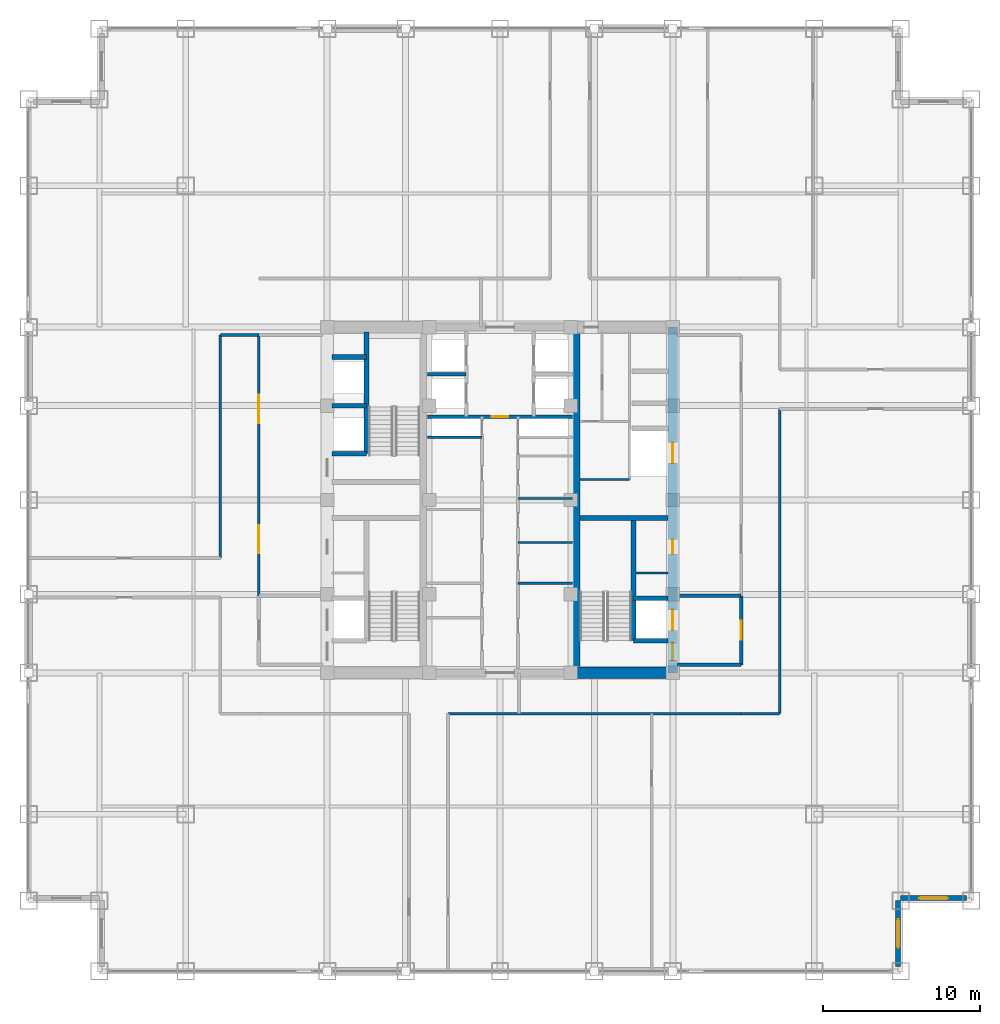
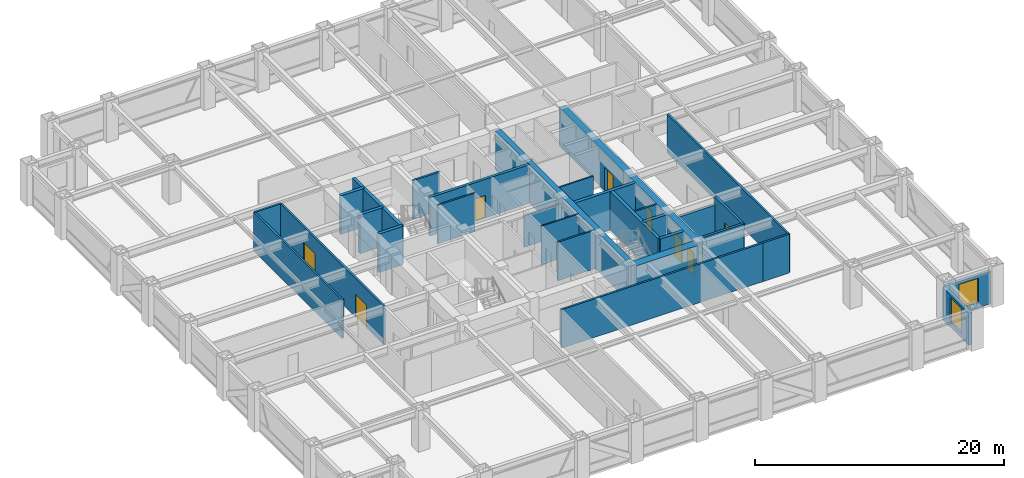
# One storey, part 21 of 24: 30 walls, 8 doors, 2 windows, 10 openings.
"""IFC4 building model written with IfcOpenShell, lengths in metres."""

from ifc_helpers import new_model, si_unit, direction, frame, frame_2d, origin, place, context, subcontext, project, spatial, rectangle, extrude, source, transform, mapped, material, layer, layer_set, type_object, element, fill, save


model = new_model("IFC4")

# Units and contexts
model_context = context("Model", 3, precision=1e-05, world=origin(), true_north=direction((0.0, 1.0)))
body_context = subcontext(model_context, "Body", "Model", "MODEL_VIEW")
ifc_project = project(units=[si_unit("LENGTHUNIT", "METRE"), si_unit("AREAUNIT", "SQUARE_METRE"), si_unit("VOLUMEUNIT", "CUBIC_METRE"), si_unit("PLANEANGLEUNIT", "RADIAN"), si_unit("MASSUNIT", "GRAM", prefix="KILO")], contexts=[model_context])

# Site, building, storey
site_placement = place(None, origin())
site = spatial("IfcSite", under=ifc_project, at=site_placement, CompositionType="ELEMENT")
building_placement = place(site_placement, origin())
building = spatial("IfcBuilding", under=site, at=building_placement, Name="Khorayat Bourse Tower", CompositionType="ELEMENT")
storey_placement = place(building_placement, frame((0.0, 0.0, 159.10009765625)))
storey = spatial("IfcBuildingStorey", under=building, at=storey_placement, Name="L36", CompositionType="ELEMENT", Elevation=159.10009765625)

# Wall, openings, doors
ifc_material_1 = material(Name="Concrete C60/75", Category="concrete")
ifc_layer_1 = layer(ifc_material_1, 0.60009765625)
ifc_layer_set_1 = layer_set([ifc_layer_1], Name="Concrete C60/75")
wall_type_1 = type_object("IfcWallType", Name="WAL-CORE-600", PredefinedType="SHEAR", material=ifc_layer_set_1)
shared_shape_1 = source(origin(), body_context, "Body", "SweptSolid", [
    extrude(rectangle(XDim=22.0, YDim=0.60009765625, at=frame_2d((11.0, 0.0))), origin(), (0.0, 0.0, 1.0), 3.77978515625),
])
wall_1_placement = place(storey_placement, frame((11.0, -11.0, 0.0), z_axis=(0.0, 0.0, 1.0), x_axis=(0.0, 1.0, 0.0)))
wall_1 = element("IfcWall", 1, at=wall_1_placement, inside=storey, type_object=wall_type_1, Name="L36 Core Shear Wall CORE-E", PredefinedType="SHEAR", context=body_context, shape_type="MappedRepresentation", body=[
    mapped(shared_shape_1, transform((0.0, 0.0, 0.0), scale=1.0)),
])
shared_shape_2 = source(origin(), body_context, "Body", "SweptSolid", [
    extrude(rectangle(XDim=1.10009765625, YDim=2.199951171875, at=frame_2d((0.550048828125, 1.10009765625))), frame((0.0, 0.31005859375, 0.0), z_axis=(0.0, -1.0, 0.0), x_axis=(1.0, 0.0, 0.0)), (0.0, 0.0, 1.0), 0.6201171875),
])
opening_1_placement = place(wall_1_placement, frame((0.800048828125, 0.0, 0.0)))
opening_1 = element("IfcOpeningElement", 2, at=opening_1_placement, cuts=wall_1, Name="Opening DI-01", PredefinedType="OPENING", context=body_context, shape_type="MappedRepresentation", body=[
    mapped(shared_shape_2, transform((0.0, 0.0, 0.0), scale=1.0)),
])
shared_shape_3 = source(origin(), body_context, "Body", "SweptSolid", [
    extrude(rectangle(XDim=0.89990234375, YDim=2.14990234375, at=frame_2d((0.449951171875, 1.074951171875))), frame((0.0, 0.31005859375, 0.0), z_axis=(0.0, -1.0, 0.0), x_axis=(1.0, 0.0, 0.0)), (0.0, 0.0, 1.0), 0.6201171875),
])
opening_2_placement = place(wall_1_placement, frame((7.574951171875, 0.0, 0.0)))
opening_2 = element("IfcOpeningElement", 3, at=opening_2_placement, cuts=wall_1, Name="Opening DI-06", PredefinedType="OPENING", context=body_context, shape_type="MappedRepresentation", body=[
    mapped(shared_shape_3, transform((0.0, 0.0, 0.0), scale=1.0)),
])
shared_shape_4 = source(origin(), body_context, "Body", "SweptSolid", [
    extrude(rectangle(XDim=1.300048828125, YDim=2.300048828125, at=frame_2d((0.64990234375, 1.14990234375))), frame((0.0, 0.31005859375, 0.0), z_axis=(0.0, -1.0, 0.0), x_axis=(1.0, 0.0, 0.0)), (0.0, 0.0, 1.0), 0.6201171875),
])
opening_3_placement = place(wall_1_placement, frame((2.699951171875, 0.0, 0.0)))
opening_3 = element("IfcOpeningElement", 4, at=opening_3_placement, cuts=wall_1, Name="Opening LD-02", PredefinedType="OPENING", context=body_context, shape_type="MappedRepresentation", body=[
    mapped(shared_shape_4, transform((0.0, 0.0, 0.0), scale=1.0)),
])
opening_4_placement = place(wall_1_placement, frame((13.35009765625, 0.0, 0.0)))
opening_4 = element("IfcOpeningElement", 5, at=opening_4_placement, cuts=wall_1, Name="Opening LD-02", PredefinedType="OPENING", context=body_context, shape_type="MappedRepresentation", body=[
    mapped(shared_shape_4, transform((0.0, 0.0, 0.0), scale=1.0)),
])
ifc_material_2 = material(Name="Fire-rated steel acoustic leaf", Category="steel")
door_type_1 = type_object("IfcDoorType", Name="DR-INT-STAIR-1100", OperationType="NOTDEFINED", PredefinedType="DOOR", material=ifc_material_2)
shared_shape_5 = source(origin(), body_context, "Body", "SweptSolid", [
    extrude(rectangle(XDim=1.10009765625, YDim=2.199951171875, at=frame_2d((0.550048828125, 1.10009765625))), frame((0.0, 0.02490234375, 0.0), z_axis=(0.0, -1.0, 0.0), x_axis=(1.0, 0.0, 0.0)), (0.0, 0.0, 1.0), 0.050048828125),
])
door_1_placement = place(opening_1_placement, origin())
door_1 = element("IfcDoor", 6, at=door_1_placement, inside=storey, type_object=door_type_1, Name="L36 Exit Stair 3 Door", OperationType="SINGLE_SWING_LEFT", OverallHeight=2.199951171875, OverallWidth=1.10009765625, PredefinedType="DOOR", context=body_context, shape_type="MappedRepresentation", body=[
    mapped(shared_shape_5, transform((0.0, 0.0, 0.0), scale=1.0)),
])
fill(opening_1, door_1)
ifc_material_3 = material(Name="Moisture-resistant laminate washroom door")
door_type_2 = type_object("IfcDoorType", Name="DR-INT-WC-900", OperationType="NOTDEFINED", PredefinedType="DOOR", material=ifc_material_3)
shared_shape_6 = source(origin(), body_context, "Body", "SweptSolid", [
    extrude(rectangle(XDim=0.89990234375, YDim=2.14990234375, at=frame_2d((0.449951171875, 1.074951171875))), frame((0.0, 0.02490234375, 0.0), z_axis=(0.0, -1.0, 0.0), x_axis=(1.0, 0.0, 0.0)), (0.0, 0.0, 1.0), 0.050048828125),
])
door_2_placement = place(opening_2_placement, origin())
door_2 = element("IfcDoor", 7, at=door_2_placement, inside=storey, type_object=door_type_2, Name="L36 Fiber Server Plant Room Door", OperationType="SINGLE_SWING_LEFT", OverallHeight=2.14990234375, OverallWidth=0.89990234375, PredefinedType="DOOR", context=body_context, shape_type="MappedRepresentation", body=[
    mapped(shared_shape_6, transform((0.0, 0.0, 0.0), scale=1.0)),
])
fill(opening_2, door_2)
ifc_material_4 = material(Name="Fire-rated stainless-steel sliding landing door", Category="steel")
door_type_3 = type_object("IfcDoorType", Name="DR-LIFT-FF-1300", OperationType="NOTDEFINED", PredefinedType="DOOR", material=ifc_material_4)
shared_shape_7 = source(origin(), body_context, "Body", "SweptSolid", [
    extrude(rectangle(XDim=1.300048828125, YDim=2.300048828125, at=frame_2d((0.64990234375, 1.14990234375))), frame((0.0, 0.02490234375, 0.0), z_axis=(0.0, -1.0, 0.0), x_axis=(1.0, 0.0, 0.0)), (0.0, 0.0, 1.0), 0.050048828125),
])
door_3_placement = place(opening_3_placement, origin())
door_3 = element("IfcDoor", 8, at=door_3_placement, inside=storey, type_object=door_type_3, Name="L36 Lift FFL-02 Sliding Landing Door", OperationType="SLIDING_TO_LEFT", OverallHeight=2.300048828125, OverallWidth=1.300048828125, PredefinedType="DOOR", context=body_context, shape_type="MappedRepresentation", body=[
    mapped(shared_shape_7, transform((0.0, 0.0, 0.0), scale=1.0)),
])
fill(opening_3, door_3)
door_4_placement = place(opening_4_placement, origin())
door_4 = element("IfcDoor", 9, at=door_4_placement, inside=storey, type_object=door_type_3, Name="L36 Lift SVL-01 Sliding Landing Door", OperationType="SLIDING_TO_LEFT", OverallHeight=2.300048828125, OverallWidth=1.300048828125, PredefinedType="DOOR", context=body_context, shape_type="MappedRepresentation", body=[
    mapped(shared_shape_7, transform((0.0, 0.0, 0.0), scale=1.0)),
])
fill(opening_4, door_4)

# Walls
ifc_material_5 = material(Name="Concrete C52/65", Category="concrete")
ifc_layer_2 = layer(ifc_material_5, 0.5)
ifc_layer_set_2 = layer_set([ifc_layer_2], Name="Concrete C52/65")
wall_type_2 = type_object("IfcWallType", Name="WAL-CORE-500", PredefinedType="SHEAR", material=ifc_layer_set_2)
shared_shape_8 = source(origin(), body_context, "Body", "SweptSolid", [
    extrude(rectangle(XDim=21.39990234375, YDim=0.5, at=frame_2d((10.699951171875, 0.0))), origin(), (0.0, 0.0, 1.0), 3.77978515625),
])
wall_2_placement = place(storey_placement, frame((4.85009765625, -10.699951171875, 0.0), z_axis=(0.0, 0.0, 1.0), x_axis=(0.0, 1.0, 0.0)))
element("IfcWall", 10, at=wall_2_placement, inside=storey, type_object=wall_type_2, Name="L36 Core Shear Wall PIER-E", PredefinedType="SHEAR", context=body_context, shape_type="MappedRepresentation", body=[
    mapped(shared_shape_8, transform((0.0, 0.0, 0.0), scale=1.0)),
])
ifc_material_6 = material(Name="Concrete C72/90", Category="concrete")
ifc_layer_3 = layer(ifc_material_6, 0.75)
ifc_layer_set_3 = layer_set([ifc_layer_3], Name="Concrete C72/90")
wall_type_3 = type_object("IfcWallType", Name="WAL-CORE-750", PredefinedType="SHEAR", material=ifc_layer_set_3)
shared_shape_9 = source(origin(), body_context, "Body", "SweptSolid", [
    extrude(rectangle(XDim=5.849853515625, YDim=0.75, at=frame_2d((2.9248046875, 0.0))), origin(), (0.0, 0.0, 1.0), 3.77978515625),
])
wall_3_placement = place(storey_placement, frame((4.85009765625, -11.0, 0.0), z_axis=(0.0, 0.0, 1.0), x_axis=(1.0, 0.0, 0.0)))
element("IfcWall", 11, at=wall_3_placement, inside=storey, type_object=wall_type_3, Name="L36 Core Shear Wall PIER-ES", PredefinedType="SHEAR", context=body_context, shape_type="MappedRepresentation", body=[
    mapped(shared_shape_9, transform((0.0, 0.0, 0.0), scale=1.0)),
])
ifc_material_7 = material(Name="Concrete C50/60", Category="concrete")
ifc_layer_4 = layer(ifc_material_7, 0.300048828125)
ifc_layer_set_4 = layer_set([ifc_layer_4], Name="Concrete C50/60")
wall_type_4 = type_object("IfcWallType", Name="WAL-SHAFT-300", PredefinedType="SHEAR", material=ifc_layer_set_4)
shared_shape_10 = source(origin(), body_context, "Body", "SweptSolid", [
    extrude(rectangle(XDim=5.599853515625, YDim=0.300048828125, at=frame_2d((2.7998046875, 0.0))), origin(), (0.0, 0.0, 1.0), 3.77978515625),
])
wall_4_placement = place(storey_placement, frame((5.10009765625, -1.14990234375, 0.0), z_axis=(0.0, 0.0, 1.0), x_axis=(1.0, 0.0, 0.0)))
element("IfcWall", 12, at=wall_4_placement, inside=storey, type_object=wall_type_4, Name="L36 Core Shear Wall ST3-DIV", PredefinedType="SHEAR", context=body_context, shape_type="MappedRepresentation", body=[
    mapped(shared_shape_10, transform((0.0, 0.0, 0.0), scale=1.0)),
])

# Wall, opening, window
ifc_material_8 = material(Name="Precast concrete C45/55", Category="concrete")
ifc_layer_5 = layer(ifc_material_8, 0.320068359375)
ifc_layer_set_5 = layer_set([ifc_layer_5], Name="Precast concrete C45/55")
wall_type_5 = type_object("IfcWallType", Name="WAL-EXT-STONE-320", PredefinedType="STANDARD", material=ifc_layer_set_5)
shared_shape_11 = source(origin(), body_context, "Body", "SweptSolid", [
    extrude(rectangle(XDim=4.179931640625, YDim=0.320068359375, at=frame_2d((2.08984375, 0.0))), origin(), (0.0, 0.0, 1.0), 3.163818359375),
])
wall_5_placement = place(storey_placement, frame((25.340087890625, -29.679931640625, 0.0), z_axis=(0.0, 0.0, 1.0), x_axis=(0.0, 1.0, 0.0)))
wall_5 = element("IfcWall", 13, at=wall_5_placement, inside=storey, type_object=wall_type_5, Name="L36 Re-Entrant Notch Limestone Wall SE-V", PredefinedType="STANDARD", context=body_context, shape_type="MappedRepresentation", body=[
    mapped(shared_shape_11, transform((0.0, 0.0, 0.0), scale=1.0)),
])
shared_shape_12 = source(origin(), body_context, "Body", "SweptSolid", [
    extrude(rectangle(XDim=1.800048828125, YDim=2.39990234375, at=frame_2d((0.89990234375, 1.199951171875))), frame((0.0, 0.169921875, 0.0), z_axis=(0.0, -1.0, 0.0), x_axis=(1.0, 0.0, 0.0)), (0.0, 0.0, 1.0), 0.340087890625),
])
opening_5_placement = place(wall_5_placement, frame((1.18994140625, 0.0, 0.5)))
opening_5 = element("IfcOpeningElement", 14, at=opening_5_placement, cuts=wall_5, Name="Opening WN-04", PredefinedType="OPENING", context=body_context, shape_type="MappedRepresentation", body=[
    mapped(shared_shape_12, transform((0.0, 0.0, 0.0), scale=1.0)),
])
ifc_material_9 = material(Name="Low-E acoustic laminated double glazing", Category="glass")
window_type = type_object("IfcWindowType", Name="WIN-NOTCH-1800x2400", PartitioningType="SINGLE_PANEL", PredefinedType="WINDOW", material=ifc_material_9)
shared_shape_13 = source(origin(), body_context, "Body", "SweptSolid", [
    extrude(rectangle(XDim=1.800048828125, YDim=2.39990234375, at=frame_2d((0.89990234375, 1.199951171875))), frame((0.0, 0.030029296875, 0.0), z_axis=(0.0, -1.0, 0.0), x_axis=(1.0, 0.0, 0.0)), (0.0, 0.0, 1.0), 0.06005859375),
])
window_1_placement = place(opening_5_placement, origin())
window_1 = element("IfcWindow", 15, at=window_1_placement, inside=storey, type_object=window_type, Name="L36 Facade Window 1", OverallHeight=2.39990234375, OverallWidth=1.800048828125, PartitioningType="SINGLE_PANEL", PredefinedType="WINDOW", context=body_context, shape_type="MappedRepresentation", body=[
    mapped(shared_shape_13, transform((0.0, 0.0, 0.0), scale=1.0)),
])
fill(opening_5, window_1)

wall_6_placement = place(storey_placement, frame((25.5, -25.340087890625, 0.0), z_axis=(0.0, 0.0, 1.0), x_axis=(1.0, 0.0, 0.0)))
wall_6 = element("IfcWall", 16, at=wall_6_placement, inside=storey, type_object=wall_type_5, Name="L36 Re-Entrant Notch Limestone Wall SE-H", PredefinedType="STANDARD", context=body_context, shape_type="MappedRepresentation", body=[
    mapped(shared_shape_11, transform((0.0, 0.0, 0.0), scale=1.0)),
])
opening_6_placement = place(wall_6_placement, frame((1.18994140625, 0.0, 0.5)))
opening_6 = element("IfcOpeningElement", 17, at=opening_6_placement, cuts=wall_6, Name="Opening WN-04", PredefinedType="OPENING", context=body_context, shape_type="MappedRepresentation", body=[
    mapped(shared_shape_12, transform((0.0, 0.0, 0.0), scale=1.0)),
])
window_2_placement = place(opening_6_placement, origin())
window_2 = element("IfcWindow", 18, at=window_2_placement, inside=storey, type_object=window_type, Name="L36 Facade Window 1", OverallHeight=2.39990234375, OverallWidth=1.800048828125, PartitioningType="SINGLE_PANEL", PredefinedType="WINDOW", context=body_context, shape_type="MappedRepresentation", body=[
    mapped(shared_shape_13, transform((0.0, 0.0, 0.0), scale=1.0)),
])
fill(opening_6, window_2)

# Walls
shared_shape_14 = source(origin(), body_context, "Body", "SweptSolid", [
    extrude(rectangle(XDim=7.800048828125, YDim=0.300048828125, at=frame_2d((3.89990234375, 0.0))), origin(), (0.0, 0.0, 1.0), 3.77978515625),
])
wall_7_placement = place(storey_placement, frame((8.5, -8.949951171875, 0.0), z_axis=(0.0, 0.0, 1.0), x_axis=(0.0, 1.0, 0.0)))
element("IfcWall", 19, at=wall_7_placement, inside=storey, type_object=wall_type_4, Name="L36 Partition WAL-L36-EPIER-SP", PredefinedType="SHEAR", context=body_context, shape_type="MappedRepresentation", body=[
    mapped(shared_shape_14, transform((0.0, 0.0, 0.0), scale=1.0)),
])
shared_shape_15 = source(origin(), body_context, "Body", "SweptSolid", [
    extrude(rectangle(XDim=2.199951171875, YDim=0.300048828125, at=frame_2d((1.10009765625, 0.0))), origin(), (0.0, 0.0, 1.0), 3.77978515625),
])
for number, where, z_axis, x_axis, name in (
    (20, (-10.699951171875, 2.949951171875, 0.0), (0.0, 0.0, 1.0), (1.0, 0.0, 0.0), "L36 Partition WAL-L36-WPIER-H1S"),
    (21, (-10.699951171875, 6.0, 0.0), (0.0, 0.0, 1.0), (1.0, 0.0, 0.0), "L36 Partition WAL-L36-WPIER-H12"),
    (22, (-10.699951171875, 9.10009765625, 0.0), (0.0, 0.0, 1.0), (1.0, 0.0, 0.0), "L36 Partition WAL-L36-WPIER-H2N"),
    (23, (8.5, -8.949951171875, 0.0), (0.0, 0.0, 1.0), (1.0, 0.0, 0.0), "L36 Partition WAL-L36-EPIER-FF2S"),
    (24, (8.5, -6.25, 0.0), (0.0, 0.0, 1.0), (1.0, 0.0, 0.0), "L36 Partition WAL-L36-EPIER-FF2N"),
):
    element("IfcWall", number, at=place(storey_placement, frame(where, z_axis=z_axis, x_axis=x_axis)), inside=storey, type_object=wall_type_4, Name=name, PredefinedType="SHEAR", context=body_context, shape_type="MappedRepresentation", body=[
        mapped(shared_shape_15, transform((0.0, 0.0, 0.0), scale=1.0)),
    ])
shared_shape_16 = source(origin(), body_context, "Body", "SweptSolid", [
    extrude(rectangle(XDim=7.75, YDim=0.300048828125, at=frame_2d((3.875, 0.0))), origin(), (0.0, 0.0, 1.0), 3.77978515625),
])
wall_8_placement = place(storey_placement, frame((-8.5, 2.949951171875, 0.0), z_axis=(0.0, 0.0, 1.0), x_axis=(0.0, 1.0, 0.0)))
element("IfcWall", 25, at=wall_8_placement, inside=storey, type_object=wall_type_4, Name="L36 Partition WAL-L36-WPIER-ST2S", PredefinedType="SHEAR", context=body_context, shape_type="MappedRepresentation", body=[
    mapped(shared_shape_16, transform((0.0, 0.0, 0.0), scale=1.0)),
])
ifc_material_10 = material(Name="Gypsum plasterboard twin-frame partition")
ifc_layer_6 = layer(ifc_material_10, 0.14990234375)
ifc_layer_set_6 = layer_set([ifc_layer_6], Name="Gypsum plasterboard twin-frame partition")
wall_type_6 = type_object("IfcWallType", Name="WAL-PART-SUITE-150", PredefinedType="PARTITIONING", material=ifc_layer_set_6)
shared_shape_17 = source(origin(), body_context, "Body", "SweptSolid", [
    extrude(rectangle(XDim=2.050048828125, YDim=0.14990234375, at=frame_2d((1.02490234375, 0.0))), origin(), (0.0, 0.0, 1.0), 3.77978515625),
])
wall_9_placement = place(storey_placement, frame((8.64990234375, -4.64990234375, 0.0), z_axis=(0.0, 0.0, 1.0), x_axis=(1.0, 0.0, 0.0)))
element("IfcWall", 26, at=wall_9_placement, inside=storey, type_object=wall_type_6, Name="L36 Partition WAL-L36-ESRV-S0", PredefinedType="PARTITIONING", context=body_context, shape_type="MappedRepresentation", body=[
    mapped(shared_shape_17, transform((0.0, 0.0, 0.0), scale=1.0)),
])
ifc_material_11 = material(Name="Moisture-resistant masonry partition", Category="masonry")
ifc_layer_7 = layer(ifc_material_11, 0.139892578125)
ifc_layer_set_7 = layer_set([ifc_layer_7], Name="Moisture-resistant masonry partition")
wall_type_7 = type_object("IfcWallType", Name="WAL-PART-WET-140", PredefinedType="PARTITIONING", material=ifc_layer_set_7)
shared_shape_18 = source(origin(), body_context, "Body", "SweptSolid", [
    extrude(rectangle(XDim=3.14990234375, YDim=0.139892578125, at=frame_2d((1.574951171875, 0.0))), origin(), (0.0, 0.0, 1.0), 3.77978515625),
])
wall_10_placement = place(storey_placement, frame((5.10009765625, 1.300048828125, 0.0), z_axis=(0.0, 0.0, 1.0), x_axis=(1.0, 0.0, 0.0)))
element("IfcWall", 27, at=wall_10_placement, inside=storey, type_object=wall_type_7, Name="L36 Partition WAL-L36-ECORE-S", PredefinedType="PARTITIONING", context=body_context, shape_type="MappedRepresentation", body=[
    mapped(shared_shape_18, transform((0.0, 0.0, 0.0), scale=1.0)),
])
ifc_material_12 = material(Name="Aerated concrete blockwork", Category="masonry")
ifc_layer_8 = layer(ifc_material_12, 0.219970703125)
ifc_layer_set_8 = layer_set([ifc_layer_8], Name="Aerated concrete blockwork")
wall_type_8 = type_object("IfcWallType", Name="WAL-PART-FF-220", PredefinedType="PARTITIONING", material=ifc_layer_set_8)
shared_shape_19 = source(origin(), body_context, "Body", "SweptSolid", [
    extrude(rectangle(XDim=4.050048828125, YDim=0.219970703125, at=frame_2d((2.02490234375, 0.0))), origin(), (0.0, 0.0, 1.0), 3.77978515625),
])
wall_11_placement = place(storey_placement, frame((11.300048828125, -10.5, 0.0), z_axis=(0.0, 0.0, 1.0), x_axis=(1.0, 0.0, 0.0)))
element("IfcWall", 28, at=wall_11_placement, inside=storey, type_object=wall_type_8, Name="L36 Partition WAL-L36-FFLE-S", PredefinedType="PARTITIONING", context=body_context, shape_type="MappedRepresentation", body=[
    mapped(shared_shape_19, transform((0.0, 0.0, 0.0), scale=1.0)),
])
shared_shape_20 = source(origin(), body_context, "Body", "SweptSolid", [
    extrude(rectangle(XDim=4.050048828125, YDim=0.219970703125, at=frame_2d((2.02490234375, 0.0))), origin(), (0.0, 0.0, 1.0), 3.0068359375),
])
wall_12_placement = place(storey_placement, frame((11.300048828125, -6.10009765625, 0.0), z_axis=(0.0, 0.0, 1.0), x_axis=(1.0, 0.0, 0.0)))
element("IfcWall", 29, at=wall_12_placement, inside=storey, type_object=wall_type_8, Name="L36 Partition WAL-L36-FFLE-N", PredefinedType="PARTITIONING", context=body_context, shape_type="MappedRepresentation", body=[
    mapped(shared_shape_20, transform((0.0, 0.0, 0.0), scale=1.0)),
])

# Wall, opening, door
shared_shape_21 = source(origin(), body_context, "Body", "SweptSolid", [
    extrude(rectangle(XDim=4.39990234375, YDim=0.219970703125, at=frame_2d((2.199951171875, 0.0))), origin(), (0.0, 0.0, 1.0), 3.77978515625),
])
wall_13_placement = place(storey_placement, frame((15.35009765625, -10.5, 0.0), z_axis=(0.0, 0.0, 1.0), x_axis=(0.0, 1.0, 0.0)))
wall_13 = element("IfcWall", 30, at=wall_13_placement, inside=storey, type_object=wall_type_8, Name="L36 Partition WAL-L36-FFLE-E", PredefinedType="PARTITIONING", context=body_context, shape_type="MappedRepresentation", body=[
    mapped(shared_shape_21, transform((0.0, 0.0, 0.0), scale=1.0)),
])
shared_shape_22 = source(origin(), body_context, "Body", "SweptSolid", [
    extrude(rectangle(XDim=1.199951171875, YDim=2.199951171875, at=frame_2d((0.60009765625, 1.10009765625))), frame((0.0, 0.119873046875, 0.0), z_axis=(0.0, -1.0, 0.0), x_axis=(1.0, 0.0, 0.0)), (0.0, 0.0, 1.0), 0.239990234375),
])
opening_7_placement = place(wall_13_placement, frame((1.60009765625, 0.0, 0.0)))
opening_7 = element("IfcOpeningElement", 31, at=opening_7_placement, cuts=wall_13, Name="Opening DI-02", PredefinedType="OPENING", context=body_context, shape_type="MappedRepresentation", body=[
    mapped(shared_shape_22, transform((0.0, 0.0, 0.0), scale=1.0)),
])
ifc_material_13 = material(Name="Fire-rated steel double-seal leaf", Category="steel")
door_type_4 = type_object("IfcDoorType", Name="DR-INT-FFLOBBY-1200", OperationType="NOTDEFINED", PredefinedType="DOOR", material=ifc_material_13)
shared_shape_23 = source(origin(), body_context, "Body", "SweptSolid", [
    extrude(rectangle(XDim=1.199951171875, YDim=2.199951171875, at=frame_2d((0.60009765625, 1.10009765625))), frame((0.0, 0.02490234375, 0.0), z_axis=(0.0, -1.0, 0.0), x_axis=(1.0, 0.0, 0.0)), (0.0, 0.0, 1.0), 0.050048828125),
])
door_5_placement = place(opening_7_placement, origin())
door_5 = element("IfcDoor", 32, at=door_5_placement, inside=storey, type_object=door_type_4, Name="L36 East Firefighting Lobby Door", OperationType="SINGLE_SWING_RIGHT", OverallHeight=2.199951171875, OverallWidth=1.199951171875, PredefinedType="DOOR", context=body_context, shape_type="MappedRepresentation", body=[
    mapped(shared_shape_23, transform((0.0, 0.0, 0.0), scale=1.0)),
])
fill(opening_7, door_5)

# Wall, openings, doors
ifc_material_14 = material(Name="Gypsum plasterboard acoustic stud wall")
ifc_layer_9 = layer(ifc_material_14, 0.179931640625)
ifc_layer_set_9 = layer_set([ifc_layer_9], Name="Gypsum plasterboard acoustic stud wall")
wall_type_9 = type_object("IfcWallType", Name="WAL-PART-CORR-180", PredefinedType="PARTITIONING", material=ifc_layer_set_9)
shared_shape_24 = source(origin(), body_context, "Body", "SweptSolid", [
    extrude(rectangle(XDim=16.60009765625, YDim=0.179931640625, at=frame_2d((8.300048828125, 0.0))), origin(), (0.0, 0.0, 1.0), 3.77978515625),
])
wall_14_placement = place(storey_placement, frame((-15.35009765625, -6.10009765625, 0.0), z_axis=(0.0, 0.0, 1.0), x_axis=(0.0, 1.0, 0.0)))
wall_14 = element("IfcWall", 33, at=wall_14_placement, inside=storey, type_object=wall_type_9, Name="L36 Partition WAL-L36-WLOB-W", PredefinedType="PARTITIONING", context=body_context, shape_type="MappedRepresentation", body=[
    mapped(shared_shape_24, transform((0.0, 0.0, 0.0), scale=1.0)),
])
shared_shape_25 = source(origin(), body_context, "Body", "SweptSolid", [
    extrude(rectangle(XDim=1.800048828125, YDim=2.25, at=frame_2d((0.89990234375, 1.125))), frame((0.0, 0.099853515625, 0.0), z_axis=(0.0, -1.0, 0.0), x_axis=(1.0, 0.0, 0.0)), (0.0, 0.0, 1.0), 0.199951171875),
])
opening_8_placement = place(wall_14_placement, frame((2.699951171875, 0.0, 0.0)))
opening_8 = element("IfcOpeningElement", 34, at=opening_8_placement, cuts=wall_14, Name="Opening DI-03", PredefinedType="OPENING", context=body_context, shape_type="MappedRepresentation", body=[
    mapped(shared_shape_25, transform((0.0, 0.0, 0.0), scale=1.0)),
])
opening_9_placement = place(wall_14_placement, frame((11.0, 0.0, 0.0)))
opening_9 = element("IfcOpeningElement", 35, at=opening_9_placement, cuts=wall_14, Name="Opening DI-03", PredefinedType="OPENING", context=body_context, shape_type="MappedRepresentation", body=[
    mapped(shared_shape_25, transform((0.0, 0.0, 0.0), scale=1.0)),
])
ifc_material_15 = material(Name="Fire-rated hardwood vision-panel double leaf", Category="wood")
door_type_5 = type_object("IfcDoorType", Name="DR-INT-CORR-1800", OperationType="NOTDEFINED", PredefinedType="DOOR", material=ifc_material_15)
shared_shape_26 = source(origin(), body_context, "Body", "SweptSolid", [
    extrude(rectangle(XDim=1.800048828125, YDim=2.25, at=frame_2d((0.89990234375, 1.125))), frame((0.0, 0.02490234375, 0.0), z_axis=(0.0, -1.0, 0.0), x_axis=(1.0, 0.0, 0.0)), (0.0, 0.0, 1.0), 0.050048828125),
])
door_6_placement = place(opening_8_placement, origin())
door_6 = element("IfcDoor", 36, at=door_6_placement, inside=storey, type_object=door_type_5, Name="L36 West Core Lobby South Door", OperationType="SINGLE_SWING_LEFT", OverallHeight=2.25, OverallWidth=1.800048828125, PredefinedType="DOOR", context=body_context, shape_type="MappedRepresentation", body=[
    mapped(shared_shape_26, transform((0.0, 0.0, 0.0), scale=1.0)),
])
fill(opening_8, door_6)
door_7_placement = place(opening_9_placement, origin())
door_7 = element("IfcDoor", 37, at=door_7_placement, inside=storey, type_object=door_type_5, Name="L36 West Core Lobby North Door", OperationType="SINGLE_SWING_RIGHT", OverallHeight=2.25, OverallWidth=1.800048828125, PredefinedType="DOOR", context=body_context, shape_type="MappedRepresentation", body=[
    mapped(shared_shape_26, transform((0.0, 0.0, 0.0), scale=1.0)),
])
fill(opening_9, door_7)

# Walls
shared_shape_27 = source(origin(), body_context, "Body", "SweptSolid", [
    extrude(rectangle(XDim=3.4501953125, YDim=0.14990234375, at=frame_2d((1.72509765625, 0.0))), origin(), (0.0, 0.0, 1.0), 3.77978515625),
])
for number, where, z_axis, x_axis, name in (
    (38, (-4.60009765625, 4.0, 0.0), (0.0, 0.0, 1.0), (1.0, 0.0, 0.0), "L36 Partition WAL-L36-CRSW-S"),
    (39, (1.14990234375, -5.300048828125, 0.0), (0.0, 0.0, 1.0), (1.0, 0.0, 0.0), "L36 Partition WAL-L36-FB1-NE"),
):
    element("IfcWall", number, at=place(storey_placement, frame(where, z_axis=z_axis, x_axis=x_axis)), inside=storey, type_object=wall_type_6, Name=name, PredefinedType="PARTITIONING", context=body_context, shape_type="MappedRepresentation", body=[
        mapped(shared_shape_27, transform((0.0, 0.0, 0.0), scale=1.0)),
    ])
shared_shape_28 = source(origin(), body_context, "Body", "SweptSolid", [
    extrude(rectangle(XDim=3.4501953125, YDim=0.139892578125, at=frame_2d((1.72509765625, 0.0))), origin(), (0.0, 0.0, 1.0), 3.77978515625),
])
wall_15_placement = place(storey_placement, frame((1.14990234375, -2.699951171875, 0.0), z_axis=(0.0, 0.0, 1.0), x_axis=(1.0, 0.0, 0.0)))
element("IfcWall", 40, at=wall_15_placement, inside=storey, type_object=wall_type_7, Name="L36 Partition WAL-L36-CME-D1", PredefinedType="PARTITIONING", context=body_context, shape_type="MappedRepresentation", body=[
    mapped(shared_shape_28, transform((0.0, 0.0, 0.0), scale=1.0)),
])
shared_shape_29 = source(origin(), body_context, "Body", "SweptSolid", [
    extrude(rectangle(XDim=2.4501953125, YDim=0.199951171875, at=frame_2d((1.22509765625, 0.0))), origin(), (0.0, 0.0, 1.0), 3.77978515625),
])
wall_16_placement = place(storey_placement, frame((-4.60009765625, 8.0, 0.0), z_axis=(0.0, 0.0, 1.0), x_axis=(1.0, 0.0, 0.0)))
element("IfcWall", 41, at=wall_16_placement, inside=storey, type_object=wall_type_4, Name="L36 Partition WAL-L36-B2-MW", PredefinedType="SHEAR", context=body_context, shape_type="MappedRepresentation", body=[
    mapped(shared_shape_29, transform((0.0, 0.0, 0.0), scale=1.0)),
])

# Wall, opening, door
shared_shape_30 = source(origin(), body_context, "Body", "SweptSolid", [
    extrude(rectangle(XDim=9.2001953125, YDim=0.25, at=frame_2d((4.60009765625, 0.0))), origin(), (0.0, 0.0, 1.0), 3.77978515625),
])
wall_17_placement = place(storey_placement, frame((-4.60009765625, 5.300048828125, 0.0), z_axis=(0.0, 0.0, 1.0), x_axis=(1.0, 0.0, 0.0)))
wall_17 = element("IfcWall", 42, at=wall_17_placement, inside=storey, type_object=wall_type_4, Name="L36 Partition WAL-L36-B2-S", PredefinedType="SHEAR", context=body_context, shape_type="MappedRepresentation", body=[
    mapped(shared_shape_30, transform((0.0, 0.0, 0.0), scale=1.0)),
])
shared_shape_31 = source(origin(), body_context, "Body", "SweptSolid", [
    extrude(rectangle(XDim=1.050048828125, YDim=2.199951171875, at=frame_2d((0.52490234375, 1.10009765625))), frame((0.0, 0.135009765625, 0.0), z_axis=(0.0, -1.0, 0.0), x_axis=(1.0, 0.0, 0.0)), (0.0, 0.0, 1.0), 0.27001953125),
])
opening_10_placement = place(wall_17_placement, frame((4.074951171875, 0.0, 0.0)))
opening_10 = element("IfcOpeningElement", 43, at=opening_10_placement, cuts=wall_17, Name="Opening DI-04", PredefinedType="OPENING", context=body_context, shape_type="MappedRepresentation", body=[
    mapped(shared_shape_31, transform((0.0, 0.0, 0.0), scale=1.0)),
])
ifc_material_16 = material(Name="Fire-rated oak veneer suite entrance door")
door_type_6 = type_object("IfcDoorType", Name="DR-INT-SUITE-1050", OperationType="NOTDEFINED", PredefinedType="DOOR", material=ifc_material_16)
shared_shape_32 = source(origin(), body_context, "Body", "SweptSolid", [
    extrude(rectangle(XDim=1.050048828125, YDim=2.199951171875, at=frame_2d((0.52490234375, 1.10009765625))), frame((0.0, 0.02490234375, 0.0), z_axis=(0.0, -1.0, 0.0), x_axis=(1.0, 0.0, 0.0)), (0.0, 0.0, 1.0), 0.050048828125),
])
door_8_placement = place(opening_10_placement, origin())
door_8 = element("IfcDoor", 44, at=door_8_placement, inside=storey, type_object=door_type_6, Name="L36 Core Spine North Door", OperationType="SINGLE_SWING_RIGHT", OverallHeight=2.199951171875, OverallWidth=1.050048828125, PredefinedType="DOOR", context=body_context, shape_type="MappedRepresentation", body=[
    mapped(shared_shape_32, transform((0.0, 0.0, 0.0), scale=1.0)),
])
fill(opening_10, door_8)

# Walls
shared_shape_33 = source(origin(), body_context, "Body", "SweptSolid", [
    extrude(rectangle(XDim=3.4501953125, YDim=0.139892578125, at=frame_2d((1.72509765625, 0.0))), origin(), (0.0, 0.0, 1.0), 3.0849609375),
])
wall_18_placement = place(storey_placement, frame((1.14990234375, 0.10009765625, 0.0), z_axis=(0.0, 0.0, 1.0), x_axis=(1.0, 0.0, 0.0)))
element("IfcWall", 45, at=wall_18_placement, inside=storey, type_object=wall_type_7, Name="L36 Partition WAL-L36-CME-D2", PredefinedType="PARTITIONING", context=body_context, shape_type="MappedRepresentation", body=[
    mapped(shared_shape_33, transform((0.0, 0.0, 0.0), scale=1.0)),
])
shared_shape_34 = source(origin(), body_context, "Body", "SweptSolid", [
    extrude(rectangle(XDim=2.449951171875, YDim=0.179931640625, at=frame_2d((1.22509765625, 0.0))), origin(), (0.0, 0.0, 1.0), 3.77978515625),
])
for number, where, z_axis, x_axis, name in (
    (46, (-17.800048828125, 10.5, 0.0), (0.0, 0.0, 1.0), (1.0, 0.0, 0.0), "L36 Partition WAL-L36-C2-WN"),
    (47, (15.35009765625, -13.60009765625, 0.0), (0.0, 0.0, 1.0), (1.0, 0.0, 0.0), "L36 Partition WAL-L36-C2-ES"),
):
    element("IfcWall", number, at=place(storey_placement, frame(where, z_axis=z_axis, x_axis=x_axis)), inside=storey, type_object=wall_type_9, Name=name, PredefinedType="PARTITIONING", context=body_context, shape_type="MappedRepresentation", body=[
        mapped(shared_shape_34, transform((0.0, 0.0, 0.0), scale=1.0)),
    ])
shared_shape_35 = source(origin(), body_context, "Body", "SweptSolid", [
    extrude(rectangle(XDim=18.650146484375, YDim=0.179931640625, at=frame_2d((9.3251953125, 0.0))), origin(), (0.0, 0.0, 1.0), 3.77978515625),
])
wall_19_placement = place(storey_placement, frame((-3.300048828125, -13.60009765625, 0.0), z_axis=(0.0, 0.0, 1.0), x_axis=(1.0, 0.0, 0.0)))
element("IfcWall", 48, at=wall_19_placement, inside=storey, type_object=wall_type_9, Name="L36 Partition WAL-L36-QSE-HC", PredefinedType="PARTITIONING", context=body_context, shape_type="MappedRepresentation", body=[
    mapped(shared_shape_35, transform((0.0, 0.0, 0.0), scale=1.0)),
])
shared_shape_36 = source(origin(), body_context, "Body", "SweptSolid", [
    extrude(rectangle(XDim=14.199951171875, YDim=0.179931640625, at=frame_2d((7.10009765625, 0.0))), origin(), (0.0, 0.0, 1.0), 3.77978515625),
])
wall_20_placement = place(storey_placement, frame((-17.800048828125, -3.699951171875, 0.0), z_axis=(0.0, 0.0, 1.0), x_axis=(0.0, 1.0, 0.0)))
element("IfcWall", 49, at=wall_20_placement, inside=storey, type_object=wall_type_9, Name="L36 Partition WAL-L36-WN-IN", PredefinedType="PARTITIONING", context=body_context, shape_type="MappedRepresentation", body=[
    mapped(shared_shape_36, transform((0.0, 0.0, 0.0), scale=1.0)),
])
shared_shape_37 = source(origin(), body_context, "Body", "SweptSolid", [
    extrude(rectangle(XDim=19.400146484375, YDim=0.179931640625, at=frame_2d((9.7001953125, 0.0))), origin(), (0.0, 0.0, 1.0), 3.77978515625),
])
wall_21_placement = place(storey_placement, frame((17.800048828125, -13.60009765625, 0.0), z_axis=(0.0, 0.0, 1.0), x_axis=(0.0, 1.0, 0.0)))
element("IfcWall", 50, at=wall_21_placement, inside=storey, type_object=wall_type_9, Name="L36 Partition WAL-L36-ES-IN", PredefinedType="PARTITIONING", context=body_context, shape_type="MappedRepresentation", body=[
    mapped(shared_shape_37, transform((0.0, 0.0, 0.0), scale=1.0)),
])

save(model, "model.ifc")
